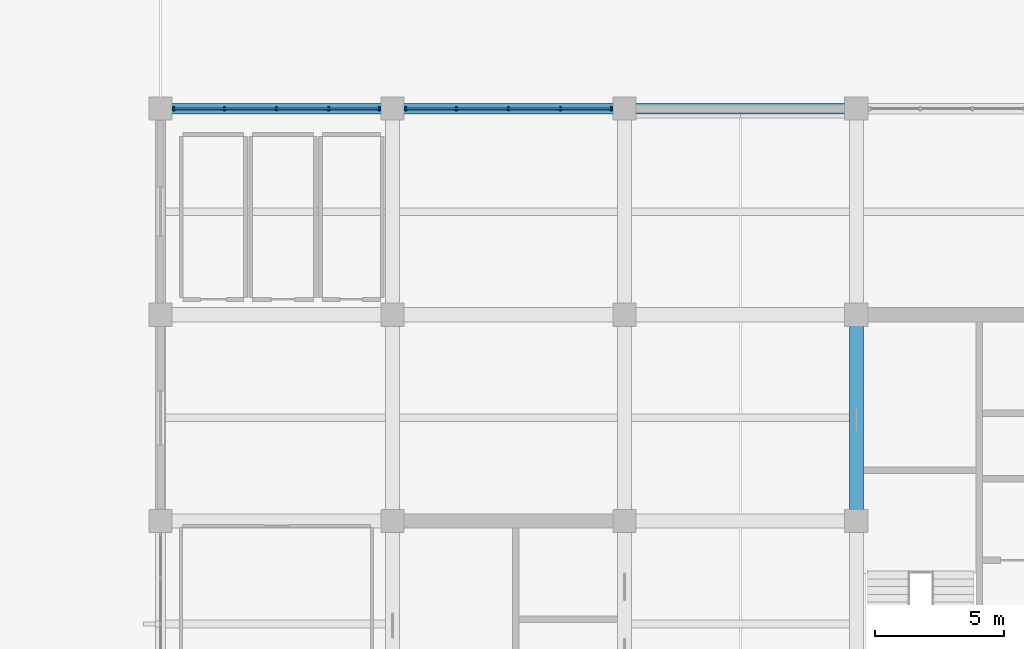
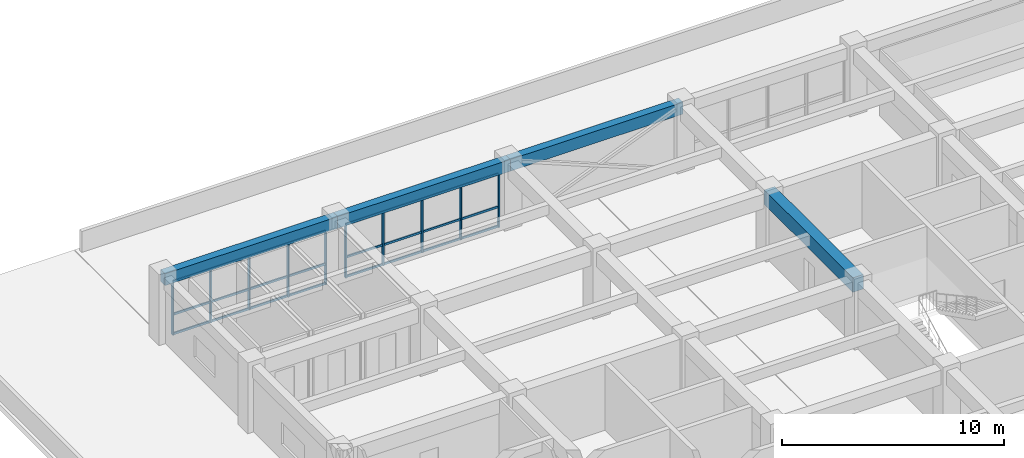
# One storey, part 9 of 34: 16 members, 4 beams, 2 elements without a shape of their own.
"""IFC4 building model written with IfcOpenShell, lengths in metres."""

from ifc_helpers import new_model, si_unit, direction, frame, origin, origin_2d, place, context, subcontext, project, spatial, rectangle, extrude, material, material_profile, profile_set, type_object, element, aggregate, save


model = new_model("IFC4")

# Units and contexts
model_context = context("Model", 3, precision=1e-05, world=origin(), true_north=direction((0.0, 1.0)))
body_context = subcontext(model_context, "Body", "Model", "MODEL_VIEW")
ifc_project = project(units=[si_unit("LENGTHUNIT", "METRE"), si_unit("AREAUNIT", "SQUARE_METRE"), si_unit("VOLUMEUNIT", "CUBIC_METRE"), si_unit("PLANEANGLEUNIT", "RADIAN"), si_unit("MASSUNIT", "GRAM", prefix="KILO")], contexts=[model_context])

# Site, building, storey
site_placement = place(None, origin())
site = spatial("IfcSite", under=ifc_project, at=site_placement, CompositionType="ELEMENT")
building_placement = place(site_placement, origin())
building = spatial("IfcBuilding", under=site, at=building_placement, Name="Zaverband Oceanarium and Marine Research Institute", CompositionType="ELEMENT")
storey_placement = place(building_placement, frame((0.0, 0.0, 18.0)))
storey = spatial("IfcBuildingStorey", under=building, at=storey_placement, Name="L04", CompositionType="ELEMENT", Elevation=18.0)

# Beam
ifc_material_1 = material(Name="Concrete C40/50", Category="concrete")
ifc_material_profile_1 = material_profile(ifc_material_1, rectangle(XDim=0.550048828125, YDim=0.800048828125, at=origin_2d()), Name="RC550x800")
ifc_profile_set_1 = profile_set([ifc_material_profile_1], Name="Concrete C40/50")
beam_type_1 = type_object("IfcBeamType", Name="BM-550x800", PredefinedType="BEAM", material=ifc_profile_set_1)
beam_placement = place(storey_placement, frame((36.0, 96.0, 3.25), z_axis=(0.0, 1.0, 0.0), x_axis=(-1.0, 0.0, 0.0)))
element("IfcBeam", 1, at=beam_placement, inside=storey, type_object=beam_type_1, Name="Primary floor girder BM-550x800", PredefinedType="BEAM", context=body_context, shape_type="SweptSolid", body=[
    extrude(rectangle(XDim=0.550048828125, YDim=0.800048828125, at=origin_2d()), origin(), (0.0, 0.0, 1.0), 8.0),
])

# Curtain wall, members
ifc_material_2 = material(Name="Thermally broken anodized aluminium and solar-control glass", Category="aluminium")
curtain_wall_type = type_object("IfcCurtainWallType", Name="CW-UNIT-1800", PredefinedType="NOTDEFINED", material=ifc_material_2)
curtain_wall_1_placement = place(storey_placement, origin())
curtain_wall_1 = element("IfcCurtainWall", 2, at=curtain_wall_1_placement, inside=storey, type_object=curtain_wall_type, Name="Unitised glazed curtain wall CW-061", PredefinedType="NOTDEFINED")
ifc_material_3 = material(Name="Thermally broken anodized aluminium", Category="aluminium")
ifc_material_profile_2 = material_profile(ifc_material_3, rectangle(XDim=0.070068359375, YDim=0.14990234375, at=origin_2d()), Name="AL-MUL-70x150")
ifc_profile_set_2 = profile_set([ifc_material_profile_2], Name="Thermally broken anodized aluminium")
member_type_1 = type_object("IfcMemberType", Name="MUL-70x150", PredefinedType="MULLION", material=ifc_profile_set_2)
member_1_placement = place(storey_placement, frame((9.514892578125, 112.0, 0.0), z_axis=(0.0, 0.0, 1.0), x_axis=(1.0, 0.0, 0.0)))
member_1 = element("IfcMember", 3, at=member_1_placement, type_object=member_type_1, Name="Curtain wall vertical mullion MUL-70x150", PredefinedType="MULLION", context=body_context, shape_type="SweptSolid", body=[
    extrude(rectangle(XDim=0.070068359375, YDim=0.14990234375, at=origin_2d()), origin(), (0.0, 0.0, 1.0), 2.97998046875),
])
member_2_placement = place(storey_placement, frame((11.4775390625, 112.0, 0.0), z_axis=(0.0, 0.0, 1.0), x_axis=(1.0, 0.0, 0.0)))
member_2 = element("IfcMember", 4, at=member_2_placement, type_object=member_type_1, Name="Curtain wall vertical mullion MUL-70x150", PredefinedType="MULLION", context=body_context, shape_type="SweptSolid", body=[
    extrude(rectangle(XDim=0.070068359375, YDim=0.14990234375, at=origin_2d()), origin(), (0.0, 0.0, 1.0), 2.97998046875),
])
member_3_placement = place(storey_placement, frame((13.5, 112.0, 0.0), z_axis=(0.0, 0.0, 1.0), x_axis=(1.0, 0.0, 0.0)))
member_3 = element("IfcMember", 5, at=member_3_placement, type_object=member_type_1, Name="Curtain wall vertical mullion MUL-70x150", PredefinedType="MULLION", context=body_context, shape_type="SweptSolid", body=[
    extrude(rectangle(XDim=0.070068359375, YDim=0.14990234375, at=origin_2d()), origin(), (0.0, 0.0, 1.0), 2.97998046875),
])
member_4_placement = place(storey_placement, frame((15.5224609375, 112.0, 0.0), z_axis=(0.0, 0.0, 1.0), x_axis=(1.0, 0.0, 0.0)))
member_4 = element("IfcMember", 6, at=member_4_placement, type_object=member_type_1, Name="Curtain wall vertical mullion MUL-70x150", PredefinedType="MULLION", context=body_context, shape_type="SweptSolid", body=[
    extrude(rectangle(XDim=0.070068359375, YDim=0.14990234375, at=origin_2d()), origin(), (0.0, 0.0, 1.0), 2.97998046875),
])
member_5_placement = place(storey_placement, frame((17.485107421875, 112.0, 0.0), z_axis=(0.0, 0.0, 1.0), x_axis=(1.0, 0.0, 0.0)))
member_5 = element("IfcMember", 7, at=member_5_placement, type_object=member_type_1, Name="Curtain wall vertical mullion MUL-70x150", PredefinedType="MULLION", context=body_context, shape_type="SweptSolid", body=[
    extrude(rectangle(XDim=0.070068359375, YDim=0.14990234375, at=origin_2d()), origin(), (0.0, 0.0, 1.0), 2.97998046875),
])

curtain_wall_2_placement = place(storey_placement, origin())
curtain_wall_2 = element("IfcCurtainWall", 8, at=curtain_wall_2_placement, inside=storey, type_object=curtain_wall_type, Name="Unitised glazed curtain wall CW-062", PredefinedType="NOTDEFINED")
member_6_placement = place(storey_placement, frame((18.514892578125, 112.0, 0.0), z_axis=(0.0, 0.0, 1.0), x_axis=(1.0, 0.0, 0.0)))
member_6 = element("IfcMember", 9, at=member_6_placement, type_object=member_type_1, Name="Curtain wall vertical mullion MUL-70x150", PredefinedType="MULLION", context=body_context, shape_type="SweptSolid", body=[
    extrude(rectangle(XDim=0.070068359375, YDim=0.14990234375, at=origin_2d()), origin(), (0.0, 0.0, 1.0), 2.97998046875),
])
member_7_placement = place(storey_placement, frame((20.4775390625, 112.0, 0.0), z_axis=(0.0, 0.0, 1.0), x_axis=(1.0, 0.0, 0.0)))
member_7 = element("IfcMember", 10, at=member_7_placement, type_object=member_type_1, Name="Curtain wall vertical mullion MUL-70x150", PredefinedType="MULLION", context=body_context, shape_type="SweptSolid", body=[
    extrude(rectangle(XDim=0.070068359375, YDim=0.14990234375, at=origin_2d()), origin(), (0.0, 0.0, 1.0), 2.97998046875),
])
member_8_placement = place(storey_placement, frame((22.5, 112.0, 0.0), z_axis=(0.0, 0.0, 1.0), x_axis=(1.0, 0.0, 0.0)))
member_8 = element("IfcMember", 11, at=member_8_placement, type_object=member_type_1, Name="Curtain wall vertical mullion MUL-70x150", PredefinedType="MULLION", context=body_context, shape_type="SweptSolid", body=[
    extrude(rectangle(XDim=0.070068359375, YDim=0.14990234375, at=origin_2d()), origin(), (0.0, 0.0, 1.0), 2.97998046875),
])
member_9_placement = place(storey_placement, frame((24.5224609375, 112.0, 0.0), z_axis=(0.0, 0.0, 1.0), x_axis=(1.0, 0.0, 0.0)))
member_9 = element("IfcMember", 12, at=member_9_placement, type_object=member_type_1, Name="Curtain wall vertical mullion MUL-70x150", PredefinedType="MULLION", context=body_context, shape_type="SweptSolid", body=[
    extrude(rectangle(XDim=0.070068359375, YDim=0.14990234375, at=origin_2d()), origin(), (0.0, 0.0, 1.0), 2.97998046875),
])
member_10_placement = place(storey_placement, frame((26.485107421875, 112.0, 0.0), z_axis=(0.0, 0.0, 1.0), x_axis=(1.0, 0.0, 0.0)))
member_10 = element("IfcMember", 13, at=member_10_placement, type_object=member_type_1, Name="Curtain wall vertical mullion MUL-70x150", PredefinedType="MULLION", context=body_context, shape_type="SweptSolid", body=[
    extrude(rectangle(XDim=0.070068359375, YDim=0.14990234375, at=origin_2d()), origin(), (0.0, 0.0, 1.0), 2.97998046875),
])

# Beams
ifc_material_profile_3 = material_profile(ifc_material_1, rectangle(XDim=0.39990234375, YDim=0.64990234375, at=origin_2d()), Name="RC400x650")
ifc_profile_set_3 = profile_set([ifc_material_profile_3], Name="Concrete C40/50")
beam_type_2 = type_object("IfcBeamType", Name="SPN-400x650", PredefinedType="SPANDREL", material=ifc_profile_set_3)
for number, where, z_axis, x_axis, name in (
    (14, (9.0, 112.0, 3.324951171875), (1.0, 0.0, 0.0), (0.0, 1.0, 0.0), "Perimeter spandrel beam SPN-400x650"),
    (15, (18.0, 112.0, 3.324951171875), (1.0, 0.0, 0.0), (0.0, 1.0, 0.0), "Perimeter spandrel beam SPN-400x650"),
    (16, (27.0, 112.0, 3.324951171875), (1.0, 0.0, 0.0), (0.0, 1.0, 0.0), "Perimeter spandrel beam SPN-400x650"),
):
    element("IfcBeam", number, at=place(storey_placement, frame(where, z_axis=z_axis, x_axis=x_axis)), inside=storey, type_object=beam_type_2, Name=name, PredefinedType="SPANDREL", context=body_context, shape_type="SweptSolid", body=[
        extrude(rectangle(XDim=0.39990234375, YDim=0.64990234375, at=origin_2d()), origin(), (0.0, 0.0, 1.0), 9.0),
    ])

# Member
ifc_material_profile_4 = material_profile(ifc_material_3, rectangle(XDim=0.070068359375, YDim=0.114990234375, at=origin_2d()), Name="AL-TRN-70x115")
ifc_profile_set_4 = profile_set([ifc_material_profile_4], Name="Thermally broken anodized aluminium")
member_type_2 = type_object("IfcMemberType", Name="TRN-70x115", PredefinedType="USERDEFINED", material=ifc_profile_set_4)
member_11_placement = place(storey_placement, frame((9.514892578125, 112.0, 0.050048828125), z_axis=(1.0, 0.0, 0.0), x_axis=(0.0, 1.0, 0.0)))
member_11 = element("IfcMember", 17, at=member_11_placement, type_object=member_type_2, Name="Curtain wall horizontal transom TRN-70x115", ObjectType="TRANSOM", PredefinedType="USERDEFINED", context=body_context, shape_type="SweptSolid", body=[
    extrude(rectangle(XDim=0.070068359375, YDim=0.114990234375, at=origin_2d()), origin(), (0.0, 0.0, 1.0), 7.97021484375),
])

member_12_placement = place(storey_placement, frame((9.514892578125, 112.0, 1.123046875), z_axis=(1.0, 0.0, 0.0), x_axis=(0.0, 1.0, 0.0)))
member_12 = element("IfcMember", 18, at=member_12_placement, type_object=member_type_2, Name="Curtain wall horizontal transom TRN-70x115", ObjectType="TRANSOM", PredefinedType="USERDEFINED", context=body_context, shape_type="SweptSolid", body=[
    extrude(rectangle(XDim=0.070068359375, YDim=0.114990234375, at=origin_2d()), origin(), (0.0, 0.0, 1.0), 7.97021484375),
])

member_13_placement = place(storey_placement, frame((9.514892578125, 112.0, 2.929931640625), z_axis=(1.0, 0.0, 0.0), x_axis=(0.0, 1.0, 0.0)))
member_13 = element("IfcMember", 19, at=member_13_placement, type_object=member_type_2, Name="Curtain wall horizontal transom TRN-70x115", ObjectType="TRANSOM", PredefinedType="USERDEFINED", context=body_context, shape_type="SweptSolid", body=[
    extrude(rectangle(XDim=0.070068359375, YDim=0.114990234375, at=origin_2d()), origin(), (0.0, 0.0, 1.0), 7.97021484375),
])

aggregate(curtain_wall_1, [member_1, member_2, member_3, member_4, member_5, member_11, member_12, member_13])

member_14_placement = place(storey_placement, frame((18.514892578125, 112.0, 0.050048828125), z_axis=(1.0, 0.0, 0.0), x_axis=(0.0, 1.0, 0.0)))
member_14 = element("IfcMember", 20, at=member_14_placement, type_object=member_type_2, Name="Curtain wall horizontal transom TRN-70x115", ObjectType="TRANSOM", PredefinedType="USERDEFINED", context=body_context, shape_type="SweptSolid", body=[
    extrude(rectangle(XDim=0.070068359375, YDim=0.114990234375, at=origin_2d()), origin(), (0.0, 0.0, 1.0), 7.97021484375),
])

member_15_placement = place(storey_placement, frame((18.514892578125, 112.0, 1.123046875), z_axis=(1.0, 0.0, 0.0), x_axis=(0.0, 1.0, 0.0)))
member_15 = element("IfcMember", 21, at=member_15_placement, type_object=member_type_2, Name="Curtain wall horizontal transom TRN-70x115", ObjectType="TRANSOM", PredefinedType="USERDEFINED", context=body_context, shape_type="SweptSolid", body=[
    extrude(rectangle(XDim=0.070068359375, YDim=0.114990234375, at=origin_2d()), origin(), (0.0, 0.0, 1.0), 7.97021484375),
])

member_16_placement = place(storey_placement, frame((18.514892578125, 112.0, 2.929931640625), z_axis=(1.0, 0.0, 0.0), x_axis=(0.0, 1.0, 0.0)))
member_16 = element("IfcMember", 22, at=member_16_placement, type_object=member_type_2, Name="Curtain wall horizontal transom TRN-70x115", ObjectType="TRANSOM", PredefinedType="USERDEFINED", context=body_context, shape_type="SweptSolid", body=[
    extrude(rectangle(XDim=0.070068359375, YDim=0.114990234375, at=origin_2d()), origin(), (0.0, 0.0, 1.0), 7.97021484375),
])

aggregate(curtain_wall_2, [member_6, member_7, member_8, member_9, member_10, member_14, member_15, member_16])

save(model, "model.ifc")
